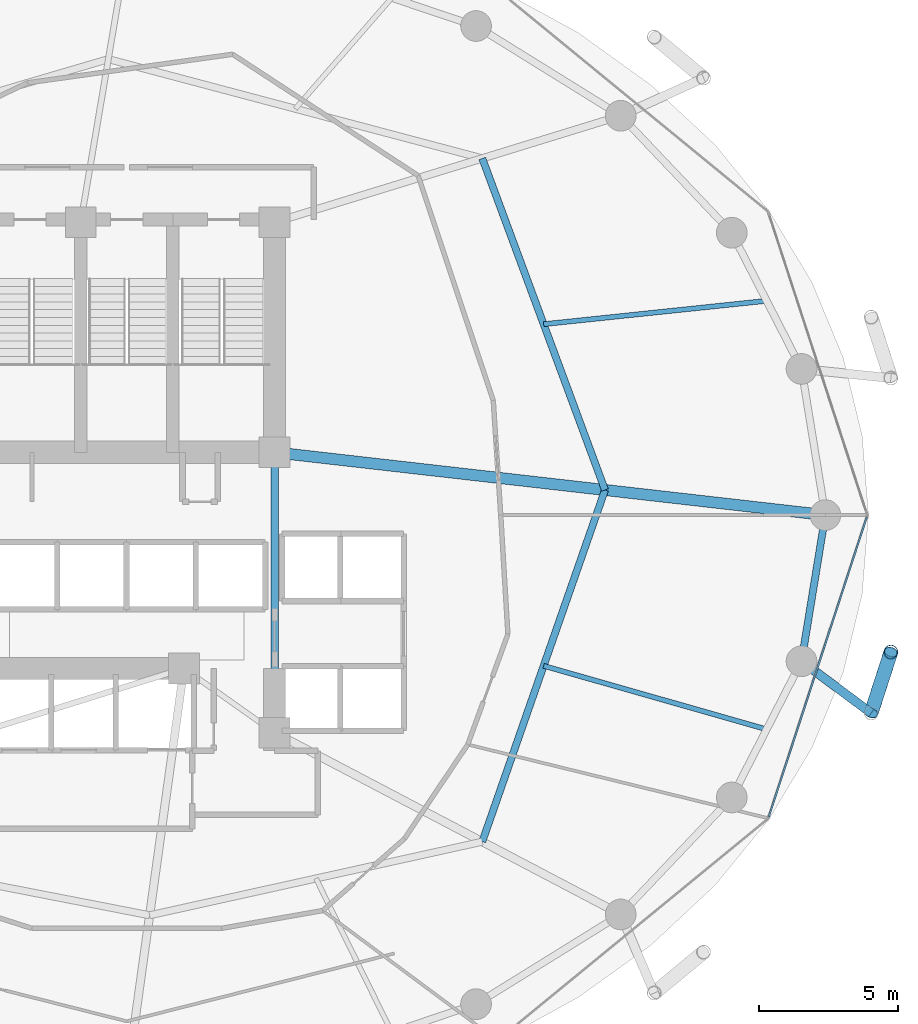
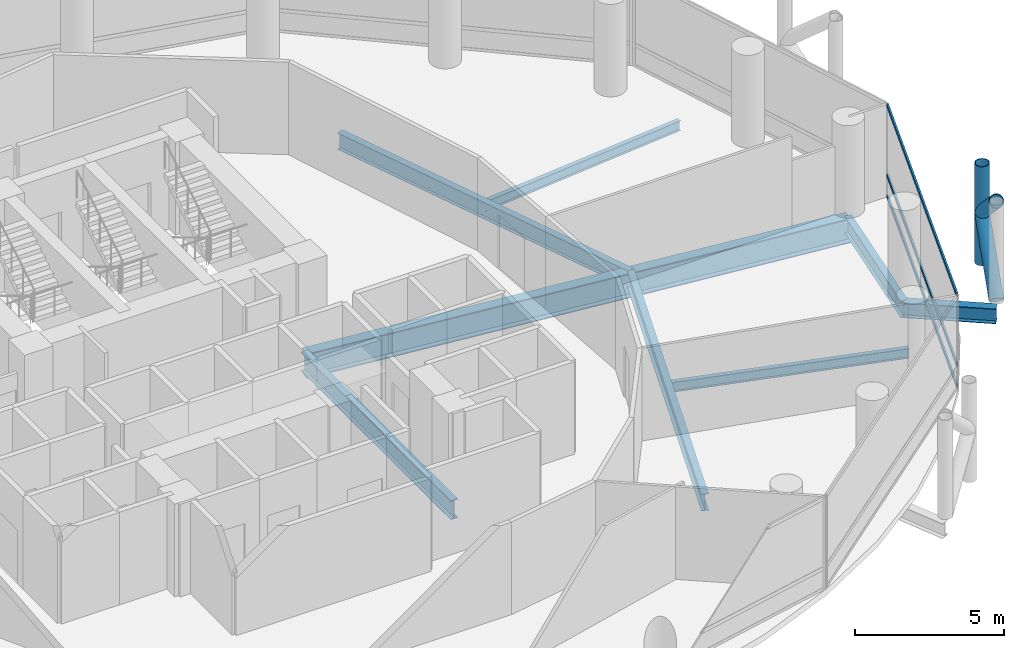
# One storey, part 11 of 24: 8 beams, 6 members, 1 element without a shape of its own.
"""IFC4 building model written with IfcOpenShell, lengths in metres."""

from ifc_helpers import new_model, si_unit, direction, frame, origin, origin_2d, place, context, subcontext, project, spatial, hollow_rectangle, hollow_circle, i_section, extrude, material, layer, layer_set, material_profile, profile_set, type_object, element, aggregate, save


model = new_model("IFC4")

# Units and contexts
model_context = context("Model", 3, precision=1e-05, world=origin(), true_north=direction((0.0, 1.0)))
body_context = subcontext(model_context, "Body", "Model", "MODEL_VIEW")
ifc_project = project(units=[si_unit("LENGTHUNIT", "METRE"), si_unit("AREAUNIT", "SQUARE_METRE"), si_unit("VOLUMEUNIT", "CUBIC_METRE"), si_unit("PLANEANGLEUNIT", "RADIAN"), si_unit("MASSUNIT", "GRAM", prefix="KILO")], contexts=[model_context])

# Site, building, storey
site_placement = place(None, origin())
site = spatial("IfcSite", under=ifc_project, at=site_placement, CompositionType="ELEMENT")
building_placement = place(site_placement, origin())
building = spatial("IfcBuilding", under=site, at=building_placement, Name="Nuhasar Tower", CompositionType="ELEMENT")
storey_placement = place(building_placement, frame((0.0, 0.0, 33.14990234375)))
storey = spatial("IfcBuildingStorey", under=building, at=storey_placement, Name="L07", CompositionType="ELEMENT", Elevation=33.14990234375)

# Beams
ifc_material_1 = material(Name="Steel S355", Category="steel")
ifc_material_profile_1 = material_profile(ifc_material_1, i_section(OverallWidth=0.25390625, OverallDepth=0.68408203125, WebThickness=0.012451171875, FlangeThickness=0.018798828125, at=origin_2d()), Name="W27X94")
ifc_profile_set_1 = profile_set([ifc_material_profile_1], Name="Steel S355")
beam_type_1 = type_object("IfcBeamType", Name="BM-INRING-W27X94", PredefinedType="BEAM", material=ifc_profile_set_1)
beam_1_placement = place(storey_placement, frame((51.748046875, 15.089111328125, -0.601806640625), z_axis=(0.329554049858, 0.944136710558, 0.0), x_axis=(-0.944136710558, 0.329554049858, 0.0)))
element("IfcBeam", 1, at=beam_1_placement, inside=storey, type_object=beam_type_1, Name="L07 Inner Header Beam 03", PredefinedType="BEAM", context=body_context, shape_type="SweptSolid", body=[
    extrude(i_section(OverallWidth=0.25390625, OverallDepth=0.68408203125, WebThickness=0.012451171875, FlangeThickness=0.018798828125, at=origin_2d()), origin(), (0.0, 0.0, 1.0), 13.35693359375),
])
beam_2_placement = place(storey_placement, frame((56.14990234375, 27.699951171875, -0.601806640625), z_axis=(-0.34715757476, 0.937806812881, 0.0), x_axis=(-0.937806812881, -0.34715757476, 0.0)))
element("IfcBeam", 2, at=beam_2_placement, inside=storey, type_object=beam_type_1, Name="L07 Inner Header Beam 04", PredefinedType="BEAM", context=body_context, shape_type="SweptSolid", body=[
    extrude(i_section(OverallWidth=0.25390625, OverallDepth=0.68408203125, WebThickness=0.012451171875, FlangeThickness=0.018798828125, at=origin_2d()), origin(), (0.0, 0.0, 1.0), 12.6796875),
])
ifc_material_profile_2 = material_profile(ifc_material_1, i_section(OverallWidth=0.177978515625, OverallDepth=0.406005859375, WebThickness=0.0078125, FlangeThickness=0.0126953125, at=origin_2d()), Name="W16X40")
ifc_profile_set_2 = profile_set([ifc_material_profile_2], Name="Steel S355")
beam_type_2 = type_object("IfcBeamType", Name="BM-JST-W16X40", PredefinedType="JOIST", material=ifc_profile_set_2)
beam_3_placement = place(storey_placement, frame((53.948974609375, 21.39501953125, -0.462890625), z_axis=(0.961730884496, -0.273995813484, 0.0), x_axis=(0.273995813484, 0.961730884496, 0.0)))
element("IfcBeam", 3, at=beam_3_placement, inside=storey, type_object=beam_type_2, Name="L07 Secondary Floor Joist 03", PredefinedType="JOIST", context=body_context, shape_type="SweptSolid", body=[
    extrude(i_section(OverallWidth=0.177978515625, OverallDepth=0.406005859375, WebThickness=0.0078125, FlangeThickness=0.0126953125, at=origin_2d()), origin(), (0.0, 0.0, 1.0), 8.314208984375),
])
beam_4_placement = place(storey_placement, frame((53.948974609375, 33.64501953125, -0.462890625), z_axis=(0.994554594377, 0.104216883485, 0.0), x_axis=(-0.104216883485, 0.994554594377, 0.0)))
element("IfcBeam", 4, at=beam_4_placement, inside=storey, type_object=beam_type_2, Name="L07 Secondary Floor Joist 04", PredefinedType="JOIST", context=body_context, shape_type="SweptSolid", body=[
    extrude(i_section(OverallWidth=0.177978515625, OverallDepth=0.406005859375, WebThickness=0.0078125, FlangeThickness=0.0126953125, at=origin_2d()), origin(), (0.0, 0.0, 1.0), 8.039794921875),
])
ifc_material_profile_3 = material_profile(ifc_material_1, i_section(OverallWidth=0.26611328125, OverallDepth=0.779052734375, WebThickness=0.0166015625, FlangeThickness=0.030029296875, at=origin_2d()), Name="W30X148")
ifc_profile_set_3 = profile_set([ifc_material_profile_3], Name="Steel S355")
beam_type_3 = type_object("IfcBeamType", Name="BM-RAD-W30X148", PredefinedType="BEAM", material=ifc_profile_set_3)
beam_5_placement = place(storey_placement, frame((44.300048828125, 19.0, -0.64892578125), z_axis=(0.0, 1.0, 0.0), x_axis=(-1.0, 0.0, 0.0)))
element("IfcBeam", 5, at=beam_5_placement, inside=storey, type_object=beam_type_3, Name="L07 Core Ring Girder 3", PredefinedType="BEAM", context=body_context, shape_type="SweptSolid", body=[
    extrude(i_section(OverallWidth=0.26611328125, OverallDepth=0.779052734375, WebThickness=0.0166015625, FlangeThickness=0.030029296875, at=origin_2d()), origin(), (0.0, 0.0, 1.0), 10.050048828125),
])
ifc_material_profile_4 = material_profile(ifc_material_1, i_section(OverallWidth=0.256103515625, OverallDepth=0.693115234375, WebThickness=0.014404296875, FlangeThickness=0.023681640625, at=origin_2d()), Name="W27X114")
ifc_profile_set_4 = profile_set([ifc_material_profile_4], Name="Steel S355")
beam_type_4 = type_object("IfcBeamType", Name="BM-RING-W27X114", PredefinedType="SPANDREL", material=ifc_profile_set_4)
beam_6_placement = place(storey_placement, frame((63.196044921875, 21.55908203125, -0.60595703125), z_axis=(0.160826635486, 0.986982671235, 0.0), x_axis=(-0.986982671235, 0.160826635486, 0.0)))
element("IfcBeam", 6, at=beam_6_placement, inside=storey, type_object=beam_type_4, Name="L07 Perimeter Ring Spandrel 24", PredefinedType="SPANDREL", context=body_context, shape_type="SweptSolid", body=[
    extrude(i_section(OverallWidth=0.256103515625, OverallDepth=0.693115234375, WebThickness=0.014404296875, FlangeThickness=0.023681640625, at=origin_2d()), origin(), (0.0, 0.0, 1.0), 5.31005859375),
])
ifc_material_profile_5 = material_profile(ifc_material_1, i_section(OverallWidth=0.323974609375, OverallDepth=0.611083984375, WebThickness=0.0126953125, FlangeThickness=0.01904296875, at=origin_2d()), Name="W24X104")
ifc_profile_set_5 = profile_set([ifc_material_profile_5], Name="Steel S355")
beam_type_5 = type_object("IfcBeamType", Name="BM-TIE-W24X104", PredefinedType="BEAM", material=ifc_profile_set_5)
beam_7_placement = place(storey_placement, frame((63.196044921875, 21.55908203125, -0.56591796875), z_axis=(0.802113478067, -0.597171640572, 0.0), x_axis=(0.597171640572, 0.802113478067, 0.0)))
element("IfcBeam", 7, at=beam_7_placement, inside=storey, type_object=beam_type_5, Name="L07 Exoskeleton Node Tie Beam 12", PredefinedType="BEAM", context=body_context, shape_type="SweptSolid", body=[
    extrude(i_section(OverallWidth=0.323974609375, OverallDepth=0.611083984375, WebThickness=0.0126953125, FlangeThickness=0.01904296875, at=origin_2d()), origin(), (0.0, 0.0, 1.0), 3.111572265625),
])
ifc_material_2 = material(Name="Steel S460", Category="steel")
ifc_material_profile_6 = material_profile(ifc_material_2, i_section(OverallWidth=0.40087890625, OverallDepth=1.010009765625, WebThickness=0.023681640625, FlangeThickness=0.0419921875, at=origin_2d()), Name="W40X297")
ifc_profile_set_6 = profile_set([ifc_material_profile_6], Name="Steel S460")
beam_type_6 = type_object("IfcBeamType", Name="BM-XFER-W40X297", PredefinedType="USERDEFINED", material=ifc_profile_set_6)
beam_8_placement = place(storey_placement, frame((44.300048828125, 29.050048828125, -0.764892578125), z_axis=(0.993573147212, -0.113191877531, 0.0), x_axis=(0.113191877531, 0.993573147212, 0.0)))
element("IfcBeam", 8, at=beam_8_placement, inside=storey, type_object=beam_type_6, Name="L07 Radial Floor Girder 04", ObjectType="GIRDER", PredefinedType="USERDEFINED", context=body_context, shape_type="SweptSolid", body=[
    extrude(i_section(OverallWidth=0.40087890625, OverallDepth=1.010009765625, WebThickness=0.023681640625, FlangeThickness=0.0419921875, at=origin_2d()), origin(), (0.0, 0.0, 1.0), 19.877685546875),
])

# Curtain wall, members
ifc_material_3 = material(Name="Aluminium 6063-T6", Category="aluminium")
ifc_layer = layer(ifc_material_3, 0.199951171875)
ifc_layer_set = layer_set([ifc_layer], Name="Aluminium 6063-T6")
curtain_wall_type = type_object("IfcCurtainWallType", Name="CW-Z1-OFF", PredefinedType="NOTDEFINED", material=ifc_layer_set)
curtain_wall_placement = place(storey_placement, origin())
curtain_wall = element("IfcCurtainWall", 9, at=curtain_wall_placement, inside=storey, type_object=curtain_wall_type, Name="L07 Unitised Curtain Wall 12", PredefinedType="NOTDEFINED")
ifc_material_profile_7 = material_profile(ifc_material_3, hollow_rectangle(XDim=0.06494140625, YDim=0.14990234375, WallThickness=0.00439453125, at=origin_2d()), Name="CWT-2")
ifc_profile_set_7 = profile_set([ifc_material_profile_7], Name="Aluminium 6063-T6")
member_type_1 = type_object("IfcMemberType", Name="CW-TRN-S2", PredefinedType="USERDEFINED", material=ifc_profile_set_7)
member_1_placement = place(storey_placement, frame((62.022216796875, 15.981689453125, 0.03271484375), z_axis=(0.310818687697, 0.950469222741, 0.0), x_axis=(-0.950469222741, 0.310818687697, 0.0)))
member_1 = element("IfcMember", 10, at=member_1_placement, type_object=member_type_1, Name="CW-Z1 transom 1.1", ObjectType="TRANSOM", PredefinedType="USERDEFINED", context=body_context, shape_type="SweptSolid", body=[
    extrude(hollow_rectangle(XDim=0.06494140625, YDim=0.14990234375, WallThickness=0.00439453125, at=origin_2d()), origin(), (0.0, 0.0, 1.0), 11.317138671875),
])
member_2_placement = place(storey_placement, frame((62.022216796875, 15.981689453125, 0.900146484375), z_axis=(0.310818687697, 0.950469222741, 0.0), x_axis=(-0.950469222741, 0.310818687697, 0.0)))
member_2 = element("IfcMember", 11, at=member_2_placement, type_object=member_type_1, Name="CW-Z1 transom 1.2", ObjectType="TRANSOM", PredefinedType="USERDEFINED", context=body_context, shape_type="SweptSolid", body=[
    extrude(hollow_rectangle(XDim=0.06494140625, YDim=0.14990234375, WallThickness=0.00439453125, at=origin_2d()), origin(), (0.0, 0.0, 1.0), 11.317138671875),
])
member_3_placement = place(storey_placement, frame((62.022216796875, 15.981689453125, 3.757568359375), z_axis=(0.310818687697, 0.950469222741, 0.0), x_axis=(-0.950469222741, 0.310818687697, 0.0)))
member_3 = element("IfcMember", 12, at=member_3_placement, type_object=member_type_1, Name="CW-Z1 transom 1.3", ObjectType="TRANSOM", PredefinedType="USERDEFINED", context=body_context, shape_type="SweptSolid", body=[
    extrude(hollow_rectangle(XDim=0.06494140625, YDim=0.14990234375, WallThickness=0.00439453125, at=origin_2d()), origin(), (0.0, 0.0, 1.0), 11.317138671875),
])
aggregate(curtain_wall, [member_1, member_2, member_3])

# Members
ifc_material_profile_8 = material_profile(ifc_material_2, hollow_circle(Radius=0.25390625, WallThickness=0.025390625, at=origin_2d()), Name="HSS508X25.4")
ifc_profile_set_8 = profile_set([ifc_material_profile_8], Name="Steel S460")
member_type_2 = type_object("IfcMemberType", Name="EXO-BRONZE-508", PredefinedType="BRACE", material=ifc_profile_set_8)
member_4_placement = place(storey_placement, frame((66.39990234375, 21.889892578125, 0.0), z_axis=(0.0, 0.0, 1.0), x_axis=(1.0, 0.0, 0.0)))
element("IfcMember", 13, at=member_4_placement, inside=storey, type_object=member_type_2, Name="L07 Exoskeleton Chord Column EC-12B", PredefinedType="BRACE", context=body_context, shape_type="SweptSolid", body=[
    extrude(hollow_circle(Radius=0.25390625, WallThickness=0.025390625, at=origin_2d()), origin(), (0.0, 0.0, 1.0), 4.050048828125),
])
member_5_placement = place(storey_placement, frame((65.69189453125, 19.700927734375, 0.0), z_axis=(0.230999678299, 0.714187281251, 0.660738734997), x_axis=(-0.951468282519, 0.307746823478, 0.0)))
element("IfcMember", 14, at=member_5_placement, inside=storey, type_object=member_type_2, Name="L07 Bronze Diagrid Brace W1-12", PredefinedType="BRACE", context=body_context, shape_type="SweptSolid", body=[
    extrude(hollow_circle(Radius=0.25390625, WallThickness=0.025390625, at=origin_2d()), origin(), (0.0, 0.0, 1.0), 3.06494140625),
])
member_6_placement = place(storey_placement, frame((66.39990234375, 21.889892578125, 2.025146484375), z_axis=(-0.231011836313, -0.714224870475, 0.660693851854), x_axis=(0.951468282519, -0.307746823478, 0.0)))
element("IfcMember", 15, at=member_6_placement, inside=storey, type_object=member_type_2, Name="L07 Bronze Diagrid Brace W2-12", PredefinedType="BRACE", context=body_context, shape_type="SweptSolid", body=[
    extrude(hollow_circle(Radius=0.25390625, WallThickness=0.025390625, at=origin_2d()), origin(), (0.0, 0.0, 1.0), 3.064697265625),
])

save(model, "model.ifc")
